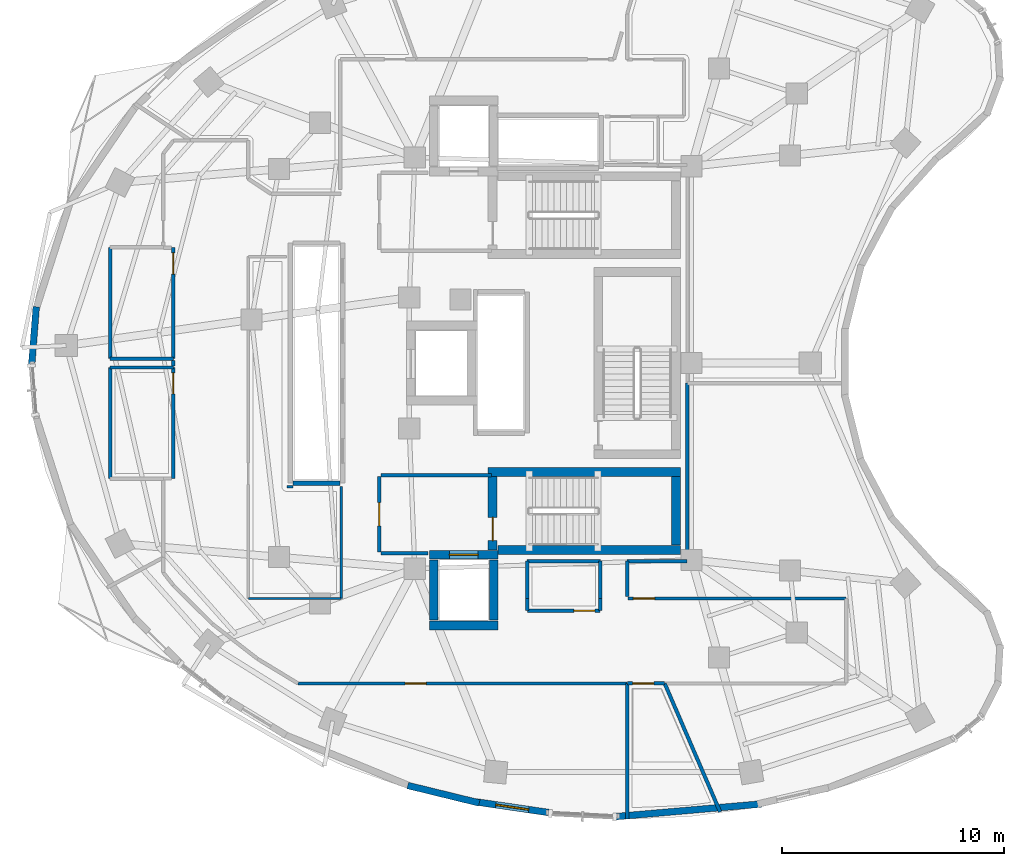
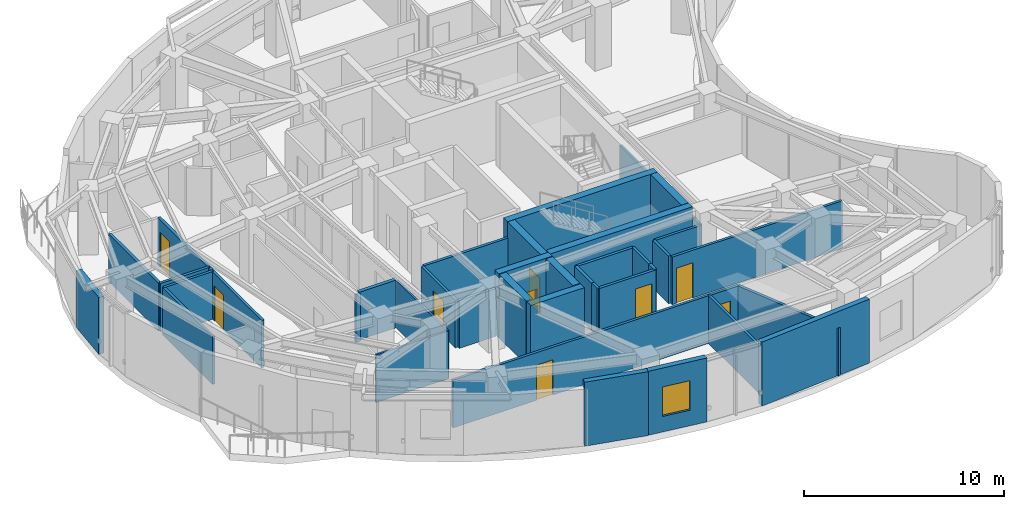
# One storey, part 7 of 13: 40 walls, 9 doors, 1 window, 10 openings.
"""IFC4 building model written with IfcOpenShell, lengths in metres."""

from ifc_helpers import new_model, si_unit, direction, frame, frame_2d, origin, place, context, subcontext, project, spatial, rectangle, extrude, material, layer, layer_set, type_object, element, fill, save


model = new_model("IFC4")

# Units and contexts
model_context = context("Model", 3, precision=1e-05, world=origin(), true_north=direction((0.0, 1.0)))
body_context = subcontext(model_context, "Body", "Model", "MODEL_VIEW")
ifc_project = project(units=[si_unit("LENGTHUNIT", "METRE"), si_unit("AREAUNIT", "SQUARE_METRE"), si_unit("VOLUMEUNIT", "CUBIC_METRE"), si_unit("PLANEANGLEUNIT", "RADIAN"), si_unit("MASSUNIT", "GRAM", prefix="KILO")], contexts=[model_context])

# Site, building, storey
site_placement = place(None, origin())
site = spatial("IfcSite", under=ifc_project, at=site_placement, CompositionType="ELEMENT")
building_placement = place(site_placement, origin())
building = spatial("IfcBuilding", under=site, at=building_placement, Name="Korentha Bioscience Tower", CompositionType="ELEMENT")
storey_placement = place(building_placement, frame((0.0, 0.0, 166.800048828125)))
storey = spatial("IfcBuildingStorey", under=building, at=storey_placement, Name="L38", CompositionType="ELEMENT", Elevation=166.800048828125)

# Wall, opening, door
ifc_material_1 = material(Name="Double-Stud Acoustic Gypsum", Category="gypsum")
ifc_layer_1 = layer(ifc_material_1, 0.14990234375, Name="Double-Stud Acoustic Gypsum")
ifc_layer_set_1 = layer_set([ifc_layer_1], Name="Double-Stud Acoustic Gypsum (IW-L150)")
wall_type_1 = type_object("IfcWallType", Name="Acoustic Laboratory Partition Wall 150", PredefinedType="PARTITIONING", material=ifc_layer_set_1)
wall_1_placement = place(storey_placement, frame((14.239990234375, 26.800048828125, 0.0), z_axis=(0.0, 0.0, 1.0), x_axis=(0.0, -1.0, 0.0)))
wall_1 = element("IfcWall", 1, at=wall_1_placement, inside=storey, type_object=wall_type_1, Name="L38 Reclaimed Bank-1 Cold Freezer Alcove Entrance Wall", PredefinedType="PARTITIONING", context=body_context, shape_type="SweptSolid", body=[
    extrude(rectangle(XDim=4.989990234375, YDim=0.14990234375, at=frame_2d((2.4951171875, 0.0))), origin(), (0.0, 0.0, 1.0), 2.909912109375),
])
opening_1_placement = place(wall_1_placement, frame((0.239990234375, 0.0, 0.0)))
opening_1 = element("IfcOpeningElement", 2, at=opening_1_placement, cuts=wall_1, Name="Opening ID-10L", PredefinedType="OPENING", context=body_context, shape_type="SweptSolid", body=[
    extrude(rectangle(XDim=0.949951171875, YDim=2.14990234375, at=frame_2d((0.47509765625, 1.074951171875))), frame((0.0, 0.08984375, 0.0), z_axis=(0.0, -1.0, 0.0), x_axis=(1.0, 0.0, 0.0)), (0.0, 0.0, 1.0), 0.1796875),
])
ifc_material_2 = material(Name="Phenolic Laminate Timber Core", Category="wood")
door_type_1 = type_object("IfcDoorType", Name="Laboratory Single Leaf Door 950x2150 Left", OperationType="SINGLE_SWING_LEFT", PredefinedType="DOOR", material=ifc_material_2)
door_1_placement = place(opening_1_placement, origin())
door_1 = element("IfcDoor", 3, at=door_1_placement, inside=storey, type_object=door_type_1, Name="L38 Reclaimed Bank-1 Cold Freezer Alcove Door", OperationType="SINGLE_SWING_LEFT", OverallHeight=2.14990234375, OverallWidth=0.949951171875, PredefinedType="DOOR", context=body_context, shape_type="SweptSolid", body=[
    extrude(rectangle(XDim=0.949951171875, YDim=2.14990234375, at=frame_2d((0.47509765625, 1.074951171875))), frame((0.0, 0.02490234375, 0.0), z_axis=(0.0, -1.0, 0.0), x_axis=(1.0, 0.0, 0.0)), (0.0, 0.0, 1.0), 0.050048828125),
])
fill(opening_1, door_1)

wall_2_placement = place(storey_placement, frame((19.849853515625, 12.590087890625, 0.0), z_axis=(0.0, 0.0, 1.0), x_axis=(1.0, 0.0, 0.0)))
wall_2 = element("IfcWall", 4, at=wall_2_placement, inside=storey, type_object=wall_type_1, Name="L38 Staff Pantry Kitchenette 02 Entrance Wall", PredefinedType="PARTITIONING", context=body_context, shape_type="SweptSolid", body=[
    extrude(rectangle(XDim=14.798095703125, YDim=0.14990234375, at=frame_2d((7.39892578125, 0.0))), origin(), (0.0, 0.0, 1.0), 2.909912109375),
])
opening_2_placement = place(wall_2_placement, frame((4.809326171875, 0.0, 0.0)))
opening_2 = element("IfcOpeningElement", 5, at=opening_2_placement, cuts=wall_2, Name="Opening ID-10R", PredefinedType="OPENING", context=body_context, shape_type="SweptSolid", body=[
    extrude(rectangle(XDim=0.949951171875, YDim=2.14990234375, at=frame_2d((0.47509765625, 1.074951171875))), frame((0.0, 0.08984375, 0.0), z_axis=(0.0, -1.0, 0.0), x_axis=(1.0, 0.0, 0.0)), (0.0, 0.0, 1.0), 0.1796875),
])
door_type_2 = type_object("IfcDoorType", Name="Laboratory Single Leaf Door 950x2150 Right", OperationType="SINGLE_SWING_RIGHT", PredefinedType="DOOR", material=ifc_material_2)
door_2_placement = place(opening_2_placement, origin())
door_2 = element("IfcDoor", 6, at=door_2_placement, inside=storey, type_object=door_type_2, Name="L38 Staff Pantry Kitchenette 02 Door", OperationType="SINGLE_SWING_RIGHT", OverallHeight=2.14990234375, OverallWidth=0.949951171875, PredefinedType="DOOR", context=body_context, shape_type="SweptSolid", body=[
    extrude(rectangle(XDim=0.949951171875, YDim=2.14990234375, at=frame_2d((0.47509765625, 1.074951171875))), frame((0.0, 0.02490234375, 0.0), z_axis=(0.0, -1.0, 0.0), x_axis=(1.0, 0.0, 0.0)), (0.0, 0.0, 1.0), 0.050048828125),
])
fill(opening_2, door_2)

wall_3_placement = place(storey_placement, frame((44.5, 16.409912109375, 0.0), z_axis=(0.0, 0.0, 1.0), x_axis=(-1.0, 0.0, 0.0)))
wall_3 = element("IfcWall", 7, at=wall_3_placement, inside=storey, type_object=wall_type_1, Name="L38 Biomechanical Motion Analysis Lab 04 Entrance Wall", PredefinedType="PARTITIONING", context=body_context, shape_type="SweptSolid", body=[
    extrude(rectangle(XDim=9.806396484375, YDim=0.14990234375, at=frame_2d((4.9033203125, 0.0))), origin(), (0.0, 0.0, 1.0), 2.909912109375),
])
opening_3_placement = place(wall_3_placement, frame((8.616455078125, 0.0, 0.0)))
opening_3 = element("IfcOpeningElement", 8, at=opening_3_placement, cuts=wall_3, Name="Opening ID-10R", PredefinedType="OPENING", context=body_context, shape_type="SweptSolid", body=[
    extrude(rectangle(XDim=0.949951171875, YDim=2.14990234375, at=frame_2d((0.47509765625, 1.074951171875))), frame((0.0, 0.08984375, 0.0), z_axis=(0.0, -1.0, 0.0), x_axis=(1.0, 0.0, 0.0)), (0.0, 0.0, 1.0), 0.1796875),
])
door_3_placement = place(opening_3_placement, origin())
door_3 = element("IfcDoor", 9, at=door_3_placement, inside=storey, type_object=door_type_2, Name="L38 Biomechanical Motion Analysis Lab 04 Door", OperationType="SINGLE_SWING_RIGHT", OverallHeight=2.14990234375, OverallWidth=0.949951171875, PredefinedType="DOOR", context=body_context, shape_type="SweptSolid", body=[
    extrude(rectangle(XDim=0.949951171875, YDim=2.14990234375, at=frame_2d((0.47509765625, 1.074951171875))), frame((0.0, 0.02490234375, 0.0), z_axis=(0.0, -1.0, 0.0), x_axis=(1.0, 0.0, 0.0)), (0.0, 0.0, 1.0), 0.050048828125),
])
fill(opening_3, door_3)

# Walls
wall_4_placement = place(storey_placement, frame((11.39990234375, 21.800048828125, 0.0), z_axis=(0.0, 0.0, 1.0), x_axis=(0.0, 1.0, 0.0)))
element("IfcWall", 10, at=wall_4_placement, inside=storey, type_object=wall_type_1, Name="L38 Interior Partition 022", PredefinedType="PARTITIONING", context=body_context, shape_type="SweptSolid", body=[
    extrude(rectangle(XDim=5.0, YDim=0.14990234375, at=frame_2d((2.5, 0.0))), origin(), (0.0, 0.0, 1.0), 2.909912109375),
])
wall_5_placement = place(storey_placement, frame((11.39990234375, 26.800048828125, 0.0), z_axis=(0.0, 0.0, 1.0), x_axis=(1.0, 0.0, 0.0)))
element("IfcWall", 11, at=wall_5_placement, inside=storey, type_object=wall_type_1, Name="L38 Interior Partition 023", PredefinedType="PARTITIONING", context=body_context, shape_type="SweptSolid", body=[
    extrude(rectangle(XDim=2.840087890625, YDim=0.14990234375, at=frame_2d((1.419921875, 0.0))), origin(), (0.0, 0.0, 1.0), 2.909912109375),
])
wall_6_placement = place(storey_placement, frame((34.64794921875, 12.590087890625, 0.0), z_axis=(0.0, 0.0, 1.0), x_axis=(0.0, -1.0, 0.0)))
element("IfcWall", 12, at=wall_6_placement, inside=storey, type_object=wall_type_1, Name="L38 Interior Partition 038", PredefinedType="PARTITIONING", context=body_context, shape_type="SweptSolid", body=[
    extrude(rectangle(XDim=6.0849609375, YDim=0.14990234375, at=frame_2d((3.04248046875, 0.0))), origin(), (0.0, 0.0, 1.0), 2.909912109375),
])
wall_7_placement = place(storey_placement, frame((34.652099609375, 16.506103515625, 0.0), z_axis=(0.0, 0.0, 1.0), x_axis=(0.0, 1.0, 0.0)))
element("IfcWall", 13, at=wall_7_placement, inside=storey, type_object=wall_type_1, Name="L38 Interior Partition 042", PredefinedType="PARTITIONING", context=body_context, shape_type="SweptSolid", body=[
    extrude(rectangle(XDim=1.583984375, YDim=0.14990234375, at=frame_2d((0.7919921875, 0.0))), origin(), (0.0, 0.0, 1.0), 2.909912109375),
])
wall_8_placement = place(storey_placement, frame((34.652099609375, 18.090087890625, 0.0), z_axis=(0.0, 0.0, 1.0), x_axis=(1.0, 0.0, 0.0)))
element("IfcWall", 14, at=wall_8_placement, inside=storey, type_object=wall_type_1, Name="L38 Interior Partition 043", PredefinedType="PARTITIONING", context=body_context, shape_type="SweptSolid", body=[
    extrude(rectangle(XDim=2.697998046875, YDim=0.14990234375, at=frame_2d((1.34912109375, 0.0))), origin(), (0.0, 0.0, 1.0), 2.909912109375),
])
wall_9_placement = place(storey_placement, frame((37.360107421875, 18.10009765625, 0.0), z_axis=(0.0, 0.0, 1.0), x_axis=(0.0, 1.0, 0.0)))
element("IfcWall", 15, at=wall_9_placement, inside=storey, type_object=wall_type_1, Name="L38 Interior Partition 044", PredefinedType="PARTITIONING", context=body_context, shape_type="SweptSolid", body=[
    extrude(rectangle(XDim=7.997802734375, YDim=0.14990234375, at=frame_2d((3.9990234375, 0.0))), origin(), (0.0, 0.0, 1.0), 2.909912109375),
])
wall_10_placement = place(storey_placement, frame((14.239990234375, 27.116943359375, 0.0), z_axis=(0.0, 0.0, 1.0), x_axis=(0.0, -1.0, 0.0)))
element("IfcWall", 16, at=wall_10_placement, inside=storey, type_object=wall_type_1, Name="L38 Interior Partition 063", PredefinedType="PARTITIONING", context=body_context, shape_type="SweptSolid", body=[
    extrude(rectangle(XDim=0.239013671875, YDim=0.14990234375, at=frame_2d((0.11962890625, 0.0))), origin(), (0.0, 0.0, 1.0), 2.909912109375),
])
ifc_material_3 = material(Name="Fire-Rated Framed Glass", Category="glass")
ifc_layer_2 = layer(ifc_material_3, 0.110107421875, Name="Fire-Rated Framed Glass")
ifc_layer_set_2 = layer_set([ifc_layer_2], Name="Fire-Rated Framed Glass (IW-G110)")
wall_type_2 = type_object("IfcWallType", Name="Demountable Glazed Office Partition 110", PredefinedType="MOVABLE", material=ifc_layer_set_2)
wall_11_placement = place(storey_placement, frame((19.35009765625, 21.43994140625, 0.0), z_axis=(0.0, 0.0, 1.0), x_axis=(1.0, 0.0, 0.0)))
element("IfcWall", 17, at=wall_11_placement, inside=storey, type_object=wall_type_2, Name="L38 Interior Partition 028", PredefinedType="MOVABLE", context=body_context, shape_type="SweptSolid", body=[
    extrude(rectangle(XDim=0.27001953125, YDim=0.110107421875, at=frame_2d((0.135009765625, 0.0))), origin(), (0.0, 0.0, 1.0), 2.909912109375),
])
wall_12_placement = place(storey_placement, frame((21.7900390625, 21.43994140625, 0.0), z_axis=(0.0, 0.0, 1.0), x_axis=(0.0, -1.0, 0.0)))
element("IfcWall", 18, at=wall_12_placement, inside=storey, type_object=wall_type_2, Name="L38 Interior Partition 029", PredefinedType="MOVABLE", context=body_context, shape_type="SweptSolid", body=[
    extrude(rectangle(XDim=5.030029296875, YDim=0.110107421875, at=frame_2d((2.51513671875, 0.0))), origin(), (0.0, 0.0, 1.0), 2.909912109375),
])
wall_13_placement = place(storey_placement, frame((21.7900390625, 16.409912109375, 0.0), z_axis=(0.0, 0.0, 1.0), x_axis=(-1.0, 0.0, 0.0)))
element("IfcWall", 19, at=wall_13_placement, inside=storey, type_object=wall_type_2, Name="L38 Interior Partition 030", PredefinedType="MOVABLE", context=body_context, shape_type="SweptSolid", body=[
    extrude(rectangle(XDim=4.179931640625, YDim=0.110107421875, at=frame_2d((2.08984375, 0.0))), origin(), (0.0, 0.0, 1.0), 2.909912109375),
])

# Wall, opening, door
ifc_material_4 = material(Name="Gypsum-Clad Steel Stud", Category="steel")
ifc_layer_3 = layer(ifc_material_4, 0.159912109375, Name="Gypsum-Clad Steel Stud")
ifc_layer_set_3 = layer_set([ifc_layer_3], Name="Gypsum-Clad Steel Stud (IW-C160)")
wall_type_3 = type_object("IfcWallType", Name="Fire-Rated Corridor Partition Wall 160", PredefinedType="PARTITIONING", material=ifc_layer_set_3)
wall_14_placement = place(storey_placement, frame((23.5, 18.5, 0.0), z_axis=(0.0, 0.0, 1.0), x_axis=(0.0, 1.0, 0.0)))
wall_14 = element("IfcWall", 20, at=wall_14_placement, inside=storey, type_object=wall_type_3, Name="L38 FFLS-CW Rated Enclosure Wall", PredefinedType="PARTITIONING", context=body_context, shape_type="SweptSolid", body=[
    extrude(rectangle(XDim=3.39990234375, YDim=0.159912109375, at=frame_2d((1.699951171875, 0.0))), origin(), (0.0, 0.0, 1.0), 2.909912109375),
])
opening_4_placement = place(wall_14_placement, frame((1.175048828125, 0.0, 0.0)))
opening_4 = element("IfcOpeningElement", 21, at=opening_4_placement, cuts=wall_14, Name="Opening FD-90L", PredefinedType="OPENING", context=body_context, shape_type="SweptSolid", body=[
    extrude(rectangle(XDim=1.050048828125, YDim=2.14990234375, at=frame_2d((0.52490234375, 1.074951171875))), frame((0.0, 0.0947265625, 0.0), z_axis=(0.0, -1.0, 0.0), x_axis=(1.0, 0.0, 0.0)), (0.0, 0.0, 1.0), 0.189697265625),
])
ifc_material_5 = material(Name="Powder-Coated Fire-Rated Steel", Category="steel")
door_type_3 = type_object("IfcDoorType", Name="Stairwell Fire Exit Door 1050x2150 Left", OperationType="SINGLE_SWING_LEFT", PredefinedType="DOOR", material=ifc_material_5)
door_4_placement = place(opening_4_placement, origin())
door_4 = element("IfcDoor", 22, at=door_4_placement, inside=storey, type_object=door_type_3, Name="L38 South Firefighting Lobby Door", OperationType="SINGLE_SWING_LEFT", OverallHeight=2.14990234375, OverallWidth=1.050048828125, PredefinedType="DOOR", context=body_context, shape_type="SweptSolid", body=[
    extrude(rectangle(XDim=1.050048828125, YDim=2.14990234375, at=frame_2d((0.52490234375, 1.074951171875))), frame((0.0, 0.02490234375, 0.0), z_axis=(0.0, -1.0, 0.0), x_axis=(1.0, 0.0, 0.0)), (0.0, 0.0, 1.0), 0.050048828125),
])
fill(opening_4, door_4)

# Walls
wall_15_placement = place(storey_placement, frame((23.580078125, 21.949951171875, 0.0), z_axis=(0.0, 0.0, 1.0), x_axis=(1.0, 0.0, 0.0)))
element("IfcWall", 23, at=wall_15_placement, inside=storey, type_object=wall_type_3, Name="L38 Firefighting Lobby Return Wall FFLS-N", PredefinedType="PARTITIONING", context=body_context, shape_type="SweptSolid", body=[
    extrude(rectangle(XDim=4.969970703125, YDim=0.159912109375, at=frame_2d((2.48486328125, 0.0))), origin(), (0.0, 0.0, 1.0), 2.909912109375),
])
wall_16_placement = place(storey_placement, frame((23.580078125, 18.449951171875, 0.0), z_axis=(0.0, 0.0, 1.0), x_axis=(1.0, 0.0, 0.0)))
element("IfcWall", 24, at=wall_16_placement, inside=storey, type_object=wall_type_3, Name="L38 Firefighting Lobby Return Wall FFLS-S", PredefinedType="PARTITIONING", context=body_context, shape_type="SweptSolid", body=[
    extrude(rectangle(XDim=2.119873046875, YDim=0.159912109375, at=frame_2d((1.06005859375, 0.0))), origin(), (0.0, 0.0, 1.0), 2.909912109375),
])

# Wall, opening, door
wall_17_placement = place(storey_placement, frame((33.43994140625, 15.860107421875, 0.0), z_axis=(0.0, 0.0, 1.0), x_axis=(-1.0, 0.0, 0.0)))
wall_17 = element("IfcWall", 25, at=wall_17_placement, inside=storey, type_object=wall_type_3, Name="L38 Core Instrumentation and Gas Store Entrance Wall", PredefinedType="PARTITIONING", context=body_context, shape_type="SweptSolid", body=[
    extrude(rectangle(XDim=3.280029296875, YDim=0.159912109375, at=frame_2d((1.64013671875, 0.0))), origin(), (0.0, 0.0, 1.0), 2.909912109375),
])
opening_5_placement = place(wall_17_placement, frame((0.239990234375, 0.0, 0.0)))
opening_5 = element("IfcOpeningElement", 26, at=opening_5_placement, cuts=wall_17, Name="Opening ID-10L", PredefinedType="OPENING", context=body_context, shape_type="SweptSolid", body=[
    extrude(rectangle(XDim=0.949951171875, YDim=2.14990234375, at=frame_2d((0.47509765625, 1.074951171875))), frame((0.0, 0.0947265625, 0.0), z_axis=(0.0, -1.0, 0.0), x_axis=(1.0, 0.0, 0.0)), (0.0, 0.0, 1.0), 0.189697265625),
])
door_5_placement = place(opening_5_placement, origin())
door_5 = element("IfcDoor", 27, at=door_5_placement, inside=storey, type_object=door_type_1, Name="L38 Core Instrumentation and Gas Store Door", OperationType="SINGLE_SWING_LEFT", OverallHeight=2.14990234375, OverallWidth=0.949951171875, PredefinedType="DOOR", context=body_context, shape_type="SweptSolid", body=[
    extrude(rectangle(XDim=0.949951171875, YDim=2.14990234375, at=frame_2d((0.47509765625, 1.074951171875))), frame((0.0, 0.02490234375, 0.0), z_axis=(0.0, -1.0, 0.0), x_axis=(1.0, 0.0, 0.0)), (0.0, 0.0, 1.0), 0.050048828125),
])
fill(opening_5, door_5)

wall_18_placement = place(storey_placement, frame((14.239990234375, 32.18994140625, 0.0), z_axis=(0.0, 0.0, 1.0), x_axis=(0.0, -1.0, 0.0)))
wall_18 = element("IfcWall", 28, at=wall_18_placement, inside=storey, type_object=wall_type_3, Name="L38 Reclaimed Bank-1 Glassware Store Entrance Wall", PredefinedType="PARTITIONING", context=body_context, shape_type="SweptSolid", body=[
    extrude(rectangle(XDim=4.989990234375, YDim=0.159912109375, at=frame_2d((2.4951171875, 0.0))), origin(), (0.0, 0.0, 1.0), 2.909912109375),
])
opening_6_placement = place(wall_18_placement, frame((0.239990234375, 0.0, 0.0)))
opening_6 = element("IfcOpeningElement", 29, at=opening_6_placement, cuts=wall_18, Name="Opening ID-10R", PredefinedType="OPENING", context=body_context, shape_type="SweptSolid", body=[
    extrude(rectangle(XDim=0.949951171875, YDim=2.14990234375, at=frame_2d((0.47509765625, 1.074951171875))), frame((0.0, 0.0947265625, 0.0), z_axis=(0.0, -1.0, 0.0), x_axis=(1.0, 0.0, 0.0)), (0.0, 0.0, 1.0), 0.189697265625),
])
door_6_placement = place(opening_6_placement, origin())
door_6 = element("IfcDoor", 30, at=door_6_placement, inside=storey, type_object=door_type_2, Name="L38 Reclaimed Bank-1 Glassware Store Door", OperationType="SINGLE_SWING_RIGHT", OverallHeight=2.14990234375, OverallWidth=0.949951171875, PredefinedType="DOOR", context=body_context, shape_type="SweptSolid", body=[
    extrude(rectangle(XDim=0.949951171875, YDim=2.14990234375, at=frame_2d((0.47509765625, 1.074951171875))), frame((0.0, 0.02490234375, 0.0), z_axis=(0.0, -1.0, 0.0), x_axis=(1.0, 0.0, 0.0)), (0.0, 0.0, 1.0), 0.050048828125),
])
fill(opening_6, door_6)

wall_19_placement = place(storey_placement, frame((34.657958984375, 12.590087890625, 0.0), z_axis=(0.0, 0.0, 1.0), x_axis=(1.0, 0.0, 0.0)))
wall_19 = element("IfcWall", 31, at=wall_19_placement, inside=storey, type_object=wall_type_3, Name="L38 Biospecimen Archive Store 03 Entrance Wall", PredefinedType="PARTITIONING", context=body_context, shape_type="SweptSolid", body=[
    extrude(rectangle(XDim=1.679931640625, YDim=0.159912109375, at=frame_2d((0.83984375, 0.0))), origin(), (0.0, 0.0, 1.0), 2.909912109375),
])
opening_7_placement = place(wall_19_placement, frame((0.239990234375, 0.0, 0.0)))
opening_7 = element("IfcOpeningElement", 32, at=opening_7_placement, cuts=wall_19, Name="Opening ID-10L", PredefinedType="OPENING", context=body_context, shape_type="SweptSolid", body=[
    extrude(rectangle(XDim=0.949951171875, YDim=2.14990234375, at=frame_2d((0.47509765625, 1.074951171875))), frame((0.0, 0.0947265625, 0.0), z_axis=(0.0, -1.0, 0.0), x_axis=(1.0, 0.0, 0.0)), (0.0, 0.0, 1.0), 0.189697265625),
])
door_7_placement = place(opening_7_placement, origin())
door_7 = element("IfcDoor", 33, at=door_7_placement, inside=storey, type_object=door_type_1, Name="L38 Biospecimen Archive Store 03 Door", OperationType="SINGLE_SWING_LEFT", OverallHeight=2.14990234375, OverallWidth=0.949951171875, PredefinedType="DOOR", context=body_context, shape_type="SweptSolid", body=[
    extrude(rectangle(XDim=0.949951171875, YDim=2.14990234375, at=frame_2d((0.47509765625, 1.074951171875))), frame((0.0, 0.02490234375, 0.0), z_axis=(0.0, -1.0, 0.0), x_axis=(1.0, 0.0, 0.0)), (0.0, 0.0, 1.0), 0.050048828125),
])
fill(opening_7, door_7)

# Walls
for number, where, z_axis, x_axis, name in (
    (34, (33.43994140625, 16.39990234375, 0.0), (0.0, 0.0, 1.0), (0.0, -1.0, 0.0), "L38 Interior Partition 013"),
    (35, (30.159912109375, 15.860107421875, 0.0), (0.0, 0.0, 1.0), (0.0, 1.0, 0.0), "L38 Interior Partition 014"),
):
    element("IfcWall", number, at=place(storey_placement, frame(where, z_axis=z_axis, x_axis=x_axis)), inside=storey, type_object=wall_type_3, Name=name, PredefinedType="PARTITIONING", context=body_context, shape_type="SweptSolid", body=[
        extrude(rectangle(XDim=0.539794921875, YDim=0.159912109375, at=frame_2d((0.27001953125, 0.0))), origin(), (0.0, 0.0, 1.0), 2.909912109375),
    ])
wall_20_placement = place(storey_placement, frame((30.14990234375, 16.409912109375, 0.0), z_axis=(0.0, 0.0, 1.0), x_axis=(0.0, 1.0, 0.0)))
element("IfcWall", 36, at=wall_20_placement, inside=storey, type_object=wall_type_3, Name="L38 Interior Partition 015", PredefinedType="PARTITIONING", context=body_context, shape_type="SweptSolid", body=[
    extrude(rectangle(XDim=1.68017578125, YDim=0.159912109375, at=frame_2d((0.840087890625, 0.0))), origin(), (0.0, 0.0, 1.0), 2.909912109375),
])
wall_21_placement = place(storey_placement, frame((30.14990234375, 18.090087890625, 0.0), z_axis=(0.0, 0.0, 1.0), x_axis=(1.0, 0.0, 0.0)))
element("IfcWall", 37, at=wall_21_placement, inside=storey, type_object=wall_type_3, Name="L38 Interior Partition 016", PredefinedType="PARTITIONING", context=body_context, shape_type="SweptSolid", body=[
    extrude(rectangle(XDim=3.300048828125, YDim=0.159912109375, at=frame_2d((1.64990234375, 0.0))), origin(), (0.0, 0.0, 1.0), 2.909912109375),
])
wall_22_placement = place(storey_placement, frame((33.449951171875, 18.090087890625, 0.0), z_axis=(0.0, 0.0, 1.0), x_axis=(0.0, -1.0, 0.0)))
element("IfcWall", 38, at=wall_22_placement, inside=storey, type_object=wall_type_3, Name="L38 Interior Partition 017", PredefinedType="PARTITIONING", context=body_context, shape_type="SweptSolid", body=[
    extrude(rectangle(XDim=1.68017578125, YDim=0.159912109375, at=frame_2d((0.840087890625, 0.0))), origin(), (0.0, 0.0, 1.0), 2.909912109375),
])
wall_23_placement = place(storey_placement, frame((14.239990234375, 27.199951171875, 0.0), z_axis=(0.0, 0.0, 1.0), x_axis=(-1.0, 0.0, 0.0)))
element("IfcWall", 39, at=wall_23_placement, inside=storey, type_object=wall_type_3, Name="L38 Interior Partition 025", PredefinedType="PARTITIONING", context=body_context, shape_type="SweptSolid", body=[
    extrude(rectangle(XDim=2.840087890625, YDim=0.159912109375, at=frame_2d((1.419921875, 0.0))), origin(), (0.0, 0.0, 1.0), 2.909912109375),
])
wall_24_placement = place(storey_placement, frame((11.39990234375, 27.199951171875, 0.0), z_axis=(0.0, 0.0, 1.0), x_axis=(0.0, 1.0, 0.0)))
element("IfcWall", 40, at=wall_24_placement, inside=storey, type_object=wall_type_3, Name="L38 Interior Partition 026", PredefinedType="PARTITIONING", context=body_context, shape_type="SweptSolid", body=[
    extrude(rectangle(XDim=5.0, YDim=0.159912109375, at=frame_2d((2.5, 0.0))), origin(), (0.0, 0.0, 1.0), 2.909912109375),
])
wall_25_placement = place(storey_placement, frame((36.337890625, 12.590087890625, 0.0), z_axis=(0.0, 0.0, 1.0), x_axis=(0.396278424629, -0.918130388438, 0.0)))
element("IfcWall", 41, at=wall_25_placement, inside=storey, type_object=wall_type_3, Name="L38 Interior Partition 039", PredefinedType="PARTITIONING", context=body_context, shape_type="SweptSolid", body=[
    extrude(rectangle(XDim=6.29150390625, YDim=0.159912109375, at=frame_2d((3.145751953125, 0.0))), origin(), (0.0, 0.0, 1.0), 2.909912109375),
])

# Wall, opening, window
ifc_material_6 = material(Name="Honed Limestone Precast Concrete C40", Category="masonry")
ifc_layer_4 = layer(ifc_material_6, 0.300048828125, Name="Honed Limestone Precast Concrete C40")
ifc_layer_set_4 = layer_set([ifc_layer_4], Name="Honed Limestone Precast Concrete C40 (EW-ST300)")
wall_type_4 = type_object("IfcWallType", Name="Honed Limestone Cavity Spandrel Wall 300", PredefinedType="STANDARD", material=ifc_layer_set_4)
wall_26_placement = place(storey_placement, frame((27.84912109375, 7.264404296875, 0.0), z_axis=(0.0, 0.0, 1.0), x_axis=(0.989453322953, -0.144852068321, 0.0)))
wall_26 = element("IfcWall", 42, at=wall_26_placement, inside=storey, type_object=wall_type_4, Name="L38 Honed Limestone Spandrel Wall 30", PredefinedType="STANDARD", context=body_context, shape_type="SweptSolid", body=[
    extrude(rectangle(XDim=3.306884765625, YDim=0.300048828125, at=frame_2d((1.6533203125, 0.0))), origin(), (0.0, 0.0, 1.0), 3.89990234375),
])
opening_8_placement = place(wall_26_placement, frame((0.9033203125, 0.0, 0.949951171875)))
opening_8 = element("IfcOpeningElement", 43, at=opening_8_placement, cuts=wall_26, Name="Opening WN-02", PredefinedType="OPENING", context=body_context, shape_type="SweptSolid", body=[
    extrude(rectangle(XDim=1.5, YDim=1.800048828125, at=frame_2d((0.75, 0.89990234375))), frame((0.0, 0.1650390625, 0.0), z_axis=(0.0, -1.0, 0.0), x_axis=(1.0, 0.0, 0.0)), (0.0, 0.0, 1.0), 0.329833984375),
])
ifc_material_7 = material(Name="Thermally Broken Aluminium Triple Glazing", Category="aluminium")
window_type = type_object("IfcWindowType", Name="Acoustic Operable Office Window 1500x1800", PartitioningType="DOUBLE_PANEL_VERTICAL", PredefinedType="WINDOW", material=ifc_material_7)
window_placement = place(opening_8_placement, origin())
window = element("IfcWindow", 44, at=window_placement, inside=storey, type_object=window_type, Name="L38 Facade Window 30", OverallHeight=1.800048828125, OverallWidth=1.5, PartitioningType="DOUBLE_PANEL_VERTICAL", PredefinedType="WINDOW", context=body_context, shape_type="SweptSolid", body=[
    extrude(rectangle(XDim=1.5, YDim=1.800048828125, at=frame_2d((0.75, 0.89990234375))), frame((0.0, 0.030029296875, 0.0), z_axis=(0.0, -1.0, 0.0), x_axis=(1.0, 0.0, 0.0)), (0.0, 0.0, 1.0), 0.06005859375),
])
fill(opening_8, window)

# Walls
wall_27_placement = place(storey_placement, frame((8.07470703125, 29.531494140625, 0.0), z_axis=(0.0, 0.0, 1.0), x_axis=(-0.078059201014, -0.99694872543, 0.0)))
element("IfcWall", 45, at=wall_27_placement, inside=storey, type_object=wall_type_4, Name="L38 Limestone Perimeter Closure Wall 18", PredefinedType="STANDARD", context=body_context, shape_type="SweptSolid", body=[
    extrude(rectangle(XDim=2.63037109375, YDim=0.300048828125, at=frame_2d((1.315185546875, 0.0))), origin(), (0.0, 0.0, 1.0), 3.469970703125),
])
wall_28_placement = place(storey_placement, frame((24.782470703125, 8.0009765625, 0.0), z_axis=(0.0, 0.0, 1.0), x_axis=(0.971328615467, -0.237740868963, 0.0)))
element("IfcWall", 46, at=wall_28_placement, inside=storey, type_object=wall_type_4, Name="L38 Limestone Perimeter Closure Wall 29", PredefinedType="STANDARD", context=body_context, shape_type="SweptSolid", body=[
    extrude(rectangle(XDim=3.308837890625, YDim=0.300048828125, at=frame_2d((1.654296875, 0.0))), origin(), (0.0, 0.0, 1.0), 3.89990234375),
])
wall_29_placement = place(storey_placement, frame((34.14892578125, 6.601318359375, 0.0), z_axis=(0.0, 0.0, 1.0), x_axis=(0.996255675021, 0.086455942472, 0.0)))
element("IfcWall", 47, at=wall_29_placement, inside=storey, type_object=wall_type_4, Name="L38 Limestone Perimeter Closure Wall 32", PredefinedType="STANDARD", context=body_context, shape_type="SweptSolid", body=[
    extrude(rectangle(XDim=6.55126953125, YDim=0.300048828125, at=frame_2d((3.275634765625, 0.0))), origin(), (0.0, 0.0, 1.0), 3.89990234375),
])
ifc_material_8 = material(Name="Autoclaved Aerated Concrete Block C25", Category="concrete")
ifc_layer_5 = layer(ifc_material_8, 0.199951171875, Name="Autoclaved Aerated Concrete Block C25")
ifc_layer_set_5 = layer_set([ifc_layer_5], Name="Autoclaved Aerated Concrete Block C25 (IW-S200)")
wall_type_5 = type_object("IfcWallType", Name="Lift and Riser Shaft Enclosure Wall 200", PredefinedType="PARTITIONING", material=ifc_layer_set_5)
wall_30_placement = place(storey_placement, frame((19.6201171875, 21.60009765625, 0.0), z_axis=(0.0, 0.0, 1.0), x_axis=(1.0, 0.0, 0.0)))
element("IfcWall", 48, at=wall_30_placement, inside=storey, type_object=wall_type_5, Name="L38 Lift Bank MID Shaft Wall -Y", PredefinedType="PARTITIONING", context=body_context, shape_type="SweptSolid", body=[
    extrude(rectangle(XDim=2.10986328125, YDim=0.199951171875, at=frame_2d((1.054931640625, 0.0))), origin(), (0.0, 0.0, 1.0), 2.909912109375),
])
ifc_material_9 = material(Name="Concrete C65", Category="concrete")
ifc_layer_6 = layer(ifc_material_9, 0.39990234375, Name="Concrete C65")
ifc_layer_set_6 = layer_set([ifc_layer_6], Name="Concrete C65 (CW-C65)")
wall_type_6 = type_object("IfcWallType", Name="Mid-Rise Core Shear Wall 400", PredefinedType="SHEAR", material=ifc_layer_set_6)
wall_31_placement = place(storey_placement, frame((28.85205078125, 18.60009765625, 0.0), z_axis=(0.0, 0.0, 1.0), x_axis=(1.0, 0.0, 0.0)))
element("IfcWall", 49, at=wall_31_placement, inside=storey, type_object=wall_type_6, Name="L38 Core Shear Wall ST2-S", PredefinedType="SHEAR", context=body_context, shape_type="SweptSolid", body=[
    extrude(rectangle(XDim=8.197998046875, YDim=0.39990234375, at=frame_2d((4.09912109375, 0.0))), origin(), (0.0, 0.0, 1.0), 3.89990234375),
])
wall_32_placement = place(storey_placement, frame((28.39990234375, 22.10009765625, 0.0), z_axis=(0.0, 0.0, 1.0), x_axis=(1.0, 0.0, 0.0)))
element("IfcWall", 50, at=wall_32_placement, inside=storey, type_object=wall_type_6, Name="L38 Core Shear Wall ST2-N", PredefinedType="SHEAR", context=body_context, shape_type="SweptSolid", body=[
    extrude(rectangle(XDim=8.650146484375, YDim=0.39990234375, at=frame_2d((4.3251953125, 0.0))), origin(), (0.0, 0.0, 1.0), 3.89990234375),
])
wall_33_placement = place(storey_placement, frame((36.85009765625, 18.81005859375, 0.0), z_axis=(0.0, 0.0, 1.0), x_axis=(0.0, 1.0, 0.0)))
element("IfcWall", 51, at=wall_33_placement, inside=storey, type_object=wall_type_6, Name="L38 Core Shear Wall ST2-E", PredefinedType="SHEAR", context=body_context, shape_type="SweptSolid", body=[
    extrude(rectangle(XDim=3.079833984375, YDim=0.39990234375, at=frame_2d((1.5400390625, 0.0))), origin(), (0.0, 0.0, 1.0), 3.89990234375),
])

# Wall, opening, door
wall_34_placement = place(storey_placement, frame((28.60009765625, 18.58203125, 0.0), z_axis=(0.0, 0.0, 1.0), x_axis=(0.0, 1.0, 0.0)))
wall_34 = element("IfcWall", 52, at=wall_34_placement, inside=storey, type_object=wall_type_6, Name="L38 Core Shear Wall ST2-W", PredefinedType="SHEAR", context=body_context, shape_type="SweptSolid", body=[
    extrude(rectangle(XDim=3.307861328125, YDim=0.39990234375, at=frame_2d((1.65380859375, 0.0))), origin(), (0.0, 0.0, 1.0), 3.89990234375),
])
opening_9_placement = place(wall_34_placement, frame((0.427978515625, 0.0, 0.0)))
opening_9 = element("IfcOpeningElement", 53, at=opening_9_placement, cuts=wall_34, Name="Opening FD-90L", PredefinedType="OPENING", context=body_context, shape_type="SweptSolid", body=[
    extrude(rectangle(XDim=1.050048828125, YDim=2.14990234375, at=frame_2d((0.52490234375, 1.074951171875))), frame((0.0, 0.21484375, 0.0), z_axis=(0.0, -1.0, 0.0), x_axis=(1.0, 0.0, 0.0)), (0.0, 0.0, 1.0), 0.4296875),
])
door_8_placement = place(opening_9_placement, origin())
door_8 = element("IfcDoor", 54, at=door_8_placement, inside=storey, type_object=door_type_3, Name="L38 ST-2 Fire Exit Stair Door", OperationType="SINGLE_SWING_LEFT", OverallHeight=2.14990234375, OverallWidth=1.050048828125, PredefinedType="DOOR", context=body_context, shape_type="SweptSolid", body=[
    extrude(rectangle(XDim=1.050048828125, YDim=2.14990234375, at=frame_2d((0.52490234375, 1.074951171875))), frame((0.0, 0.02490234375, 0.0), z_axis=(0.0, -1.0, 0.0), x_axis=(1.0, 0.0, 0.0)), (0.0, 0.0, 1.0), 0.050048828125),
])
fill(opening_9, door_8)

# Wall
wall_35_placement = place(storey_placement, frame((25.75, 15.199951171875, 0.0), z_axis=(0.0, 0.0, 1.0), x_axis=(1.0, 0.0, 0.0)))
element("IfcWall", 55, at=wall_35_placement, inside=storey, type_object=wall_type_6, Name="L38 Core Shear Wall FFL1-S", PredefinedType="SHEAR", context=body_context, shape_type="SweptSolid", body=[
    extrude(rectangle(XDim=3.10009765625, YDim=0.39990234375, at=frame_2d((1.550048828125, 0.0))), origin(), (0.0, 0.0, 1.0), 3.89990234375),
])

# Wall, opening, door
wall_36_placement = place(storey_placement, frame((25.75, 18.3798828125, 0.0), z_axis=(0.0, 0.0, 1.0), x_axis=(1.0, 0.0, 0.0)))
wall_36 = element("IfcWall", 56, at=wall_36_placement, inside=storey, type_object=wall_type_6, Name="L38 Core Shear Wall FFL1-N", PredefinedType="SHEAR", context=body_context, shape_type="SweptSolid", body=[
    extrude(rectangle(XDim=3.10009765625, YDim=0.39990234375, at=frame_2d((1.550048828125, 0.0))), origin(), (0.0, 0.0, 1.0), 3.89990234375),
])
opening_10_placement = place(wall_36_placement, frame((0.89990234375, 0.0, 0.0)))
opening_10 = element("IfcOpeningElement", 57, at=opening_10_placement, cuts=wall_36, Name="Opening LD-13", PredefinedType="OPENING", context=body_context, shape_type="SweptSolid", body=[
    extrude(rectangle(XDim=1.300048828125, YDim=2.199951171875, at=frame_2d((0.64990234375, 1.10009765625))), frame((0.0, 0.21484375, 0.0), z_axis=(0.0, -1.0, 0.0), x_axis=(1.0, 0.0, 0.0)), (0.0, 0.0, 1.0), 0.4296875),
])
ifc_material_10 = material(Name="Brushed Stainless Steel 316", Category="steel")
door_type_4 = type_object("IfcDoorType", Name="Service & Firefighting Lift Landing Door 1300x2300", OperationType="DOUBLE_DOOR_SLIDING", PredefinedType="DOOR", material=ifc_material_10)
door_9_placement = place(opening_10_placement, origin())
door_9 = element("IfcDoor", 58, at=door_9_placement, inside=storey, type_object=door_type_4, Name="L38 FFL-1 Sliding Lift Landing Door", OperationType="DOUBLE_DOOR_SLIDING", OverallHeight=2.199951171875, OverallWidth=1.300048828125, PredefinedType="DOOR", context=body_context, shape_type="SweptSolid", body=[
    extrude(rectangle(XDim=1.300048828125, YDim=2.199951171875, at=frame_2d((0.64990234375, 1.10009765625))), frame((0.0, 0.02490234375, 0.0), z_axis=(0.0, -1.0, 0.0), x_axis=(1.0, 0.0, 0.0)), (0.0, 0.0, 1.0), 0.050048828125),
])
fill(opening_10, door_9)

# Walls
for number, where, z_axis, x_axis, name in (
    (59, (25.949951171875, 15.43994140625, 0.0), (0.0, 0.0, 1.0), (0.0, 1.0, 0.0), "L38 Core Shear Wall FFL1-W"),
    (60, (28.64990234375, 15.43994140625, 0.0), (0.0, 0.0, 1.0), (0.0, 1.0, 0.0), "L38 Core Shear Wall FFL1-E"),
):
    element("IfcWall", number, at=place(storey_placement, frame(where, z_axis=z_axis, x_axis=x_axis)), inside=storey, type_object=wall_type_6, Name=name, PredefinedType="SHEAR", context=body_context, shape_type="SweptSolid", body=[
        extrude(rectangle(XDim=2.699951171875, YDim=0.39990234375, at=frame_2d((1.35009765625, 0.0))), origin(), (0.0, 0.0, 1.0), 3.89990234375),
    ])

save(model, "model.ifc")
